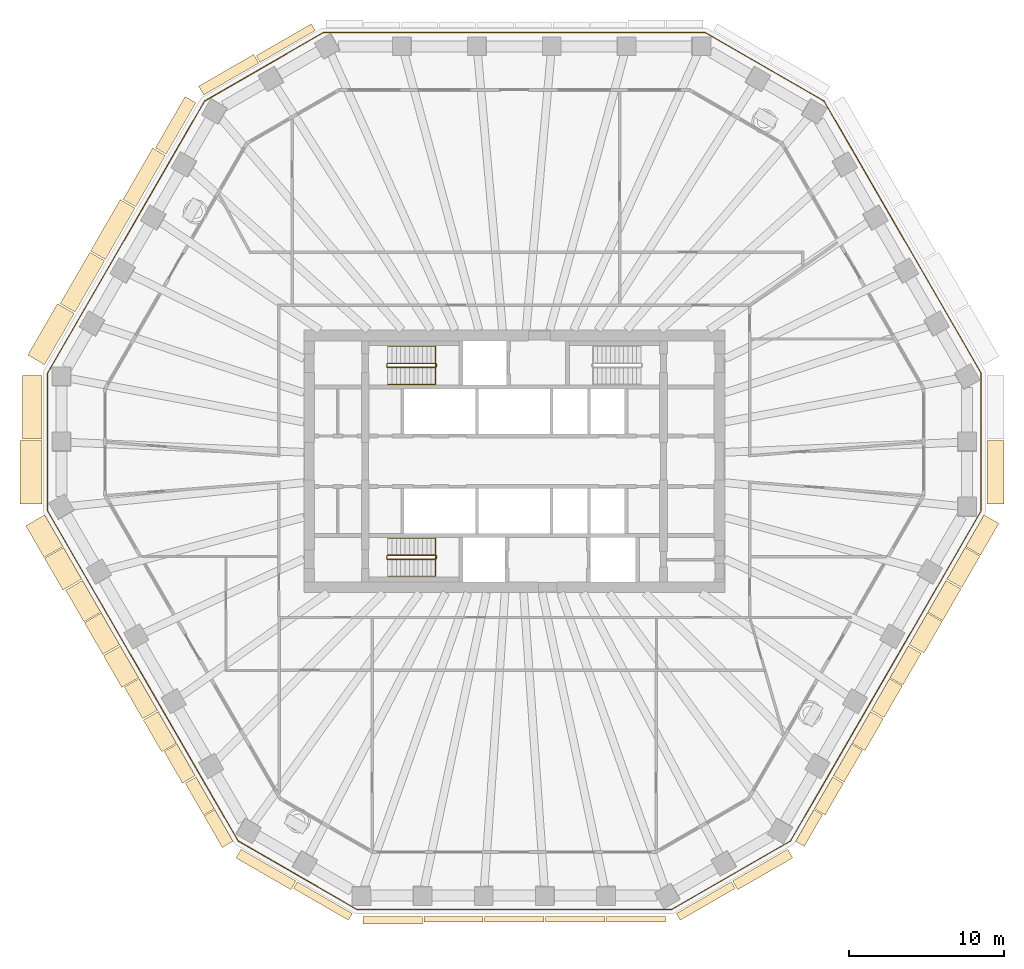
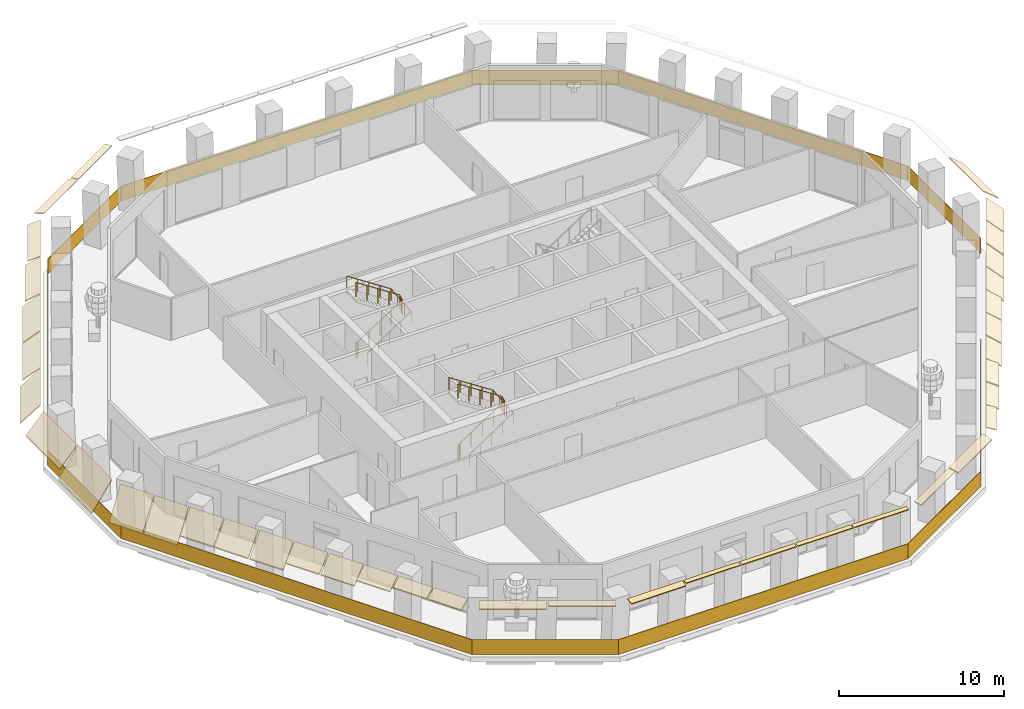
# One storey, part 10 of 13: 39 coverings, 5 railings.
"""IFC4 building model written with IfcOpenShell, lengths in metres."""

import ifcopenshell
import ifcopenshell.guid

model = None  # the IFC model being written
_history = None  # IfcOwnerHistory: only IFC2X3 demands one
_inside = {}  # id of a spatial element -> (the spatial element, [elements in it])
_under = {}  # id of a project, library or spatial element -> (it, [spatial elements below it])
_declared = {}  # id of a project -> (the project, [libraries it declares])
_typed = {}  # id of a type object -> (the type object, [elements of that type])
_made_of = {}  # id of a material, layer set ... -> (it, [elements and type objects made of it])


def new_model(schema):
    """Start an empty IFC model of exactly this schema.

    Asked for "IFC4X3", IfcOpenShell would pick the latest addendum, in which some entities
    have other attributes; the version numbers below select the first issue.
    IFC2X3 requires an IfcOwnerHistory on every rooted entity: one is made here for all.
    """
    global model, _history
    if schema == "IFC4X3":
        model = ifcopenshell.file(schema_version=(4, 3, 0, 0))
    else:
        model = ifcopenshell.file(schema=schema)
    _inside.clear()
    _under.clear()
    _declared.clear()
    _typed.clear()
    _made_of.clear()
    _history = None
    if model.schema == "IFC2X3":
        org = make("IfcOrganization", Name="unknown")
        user = make(
            "IfcPersonAndOrganization",
            ThePerson=make("IfcPerson", FamilyName="unknown"),
            TheOrganization=org,
        )
        app = make(
            "IfcApplication",
            ApplicationDeveloper=org,
            Version="unknown",
            ApplicationFullName="unknown",
            ApplicationIdentifier="unknown",
        )
        _history = make(
            "IfcOwnerHistory",
            OwningUser=user,
            OwningApplication=app,
            ChangeAction="ADDED",
            CreationDate=0,
        )
    return model


def make(cls, **values):
    """One entity of the class cls with the attributes given. An attribute that is None is left unset."""
    return model.create_entity(
        cls, **{name: value for name, value in values.items() if value is not None}
    )


def rooted(cls, **values):
    """An entity with a GlobalId (a new one), such as an element, a storey or a relation."""
    return make(cls, GlobalId=ifcopenshell.guid.new(), OwnerHistory=_history, **values)


def si_unit(unit_type, name, prefix=None):
    """IfcSIUnit, for example si_unit("LENGTHUNIT", "METRE", prefix="MILLI")."""
    return make("IfcSIUnit", UnitType=unit_type, Prefix=prefix, Name=name)


def assignment(units):
    """IfcUnitAssignment: the units of a project."""
    return None if units is None else make("IfcUnitAssignment", Units=units)


def point(xyz):
    """IfcCartesianPoint."""
    return None if xyz is None else make("IfcCartesianPoint", Coordinates=xyz)


def direction(xyz):
    """IfcDirection."""
    return None if xyz is None else make("IfcDirection", DirectionRatios=xyz)


def frame(location, z_axis=None, x_axis=None):
    """IfcAxis2Placement3D, a coordinate frame: its origin and axes. An axis left out is left unset."""
    return make(
        "IfcAxis2Placement3D",
        Location=point(location),
        Axis=direction(z_axis),
        RefDirection=direction(x_axis),
    )


def frame_2d(location, x_axis=None):
    """IfcAxis2Placement2D, a coordinate frame in the plane: its origin and x axis."""
    return make(
        "IfcAxis2Placement2D", Location=point(location), RefDirection=direction(x_axis)
    )


def origin():
    """The frame at (0, 0, 0) with its axes left unset."""
    return frame((0.0, 0.0, 0.0))


def origin_2d():
    """The frame at (0, 0) in the plane with its x axis left unset."""
    return frame_2d((0.0, 0.0))


def place(relative_to, where):
    """IfcLocalPlacement: puts the frame where relative to a parent placement (None: the world)."""
    return make(
        "IfcLocalPlacement", PlacementRelTo=relative_to, RelativePlacement=where
    )


def context(
    kind, dimensions, precision=None, world=None, true_north=None, identifier=None
):
    """IfcGeometricRepresentationContext, for example the 3D "Model" context."""
    return make(
        "IfcGeometricRepresentationContext",
        ContextIdentifier=identifier,
        ContextType=kind,
        CoordinateSpaceDimension=dimensions,
        Precision=precision,
        WorldCoordinateSystem=world,
        TrueNorth=true_north,
    )


def subcontext(parent, identifier, kind, view, scale=None):
    """IfcGeometricRepresentationSubContext, for example "Body" below "Model"."""
    return make(
        "IfcGeometricRepresentationSubContext",
        ContextIdentifier=identifier,
        ContextType=kind,
        ParentContext=parent,
        TargetScale=scale,
        TargetView=view,
    )


def project(units=None, contexts=None):
    """IfcProject with its units and contexts."""
    return rooted(
        "IfcProject",
        Name="project",
        RepresentationContexts=contexts,
        UnitsInContext=assignment(units),
    )


def spatial(cls, under=None, at=None, **own):
    """A site, building, storey or space (cls), placed at a placement, below another one or the project."""
    s = rooted(cls, ObjectPlacement=at, **own)
    if under is not None:
        _under.setdefault(under.id(), (under, []))[1].append(s)
    return s


def polyline(points):
    """IfcPolyline through the points."""
    return make("IfcPolyline", Points=[point(p) for p in points])


def profile(cls, at=None, kind="AREA", **sizes):
    """A parametric profile (cls). Its sizes go by their IFC names, for example OverallWidth=200.0."""
    return make(cls, ProfileType=kind, Position=at, **sizes)


def rectangle(**sizes):
    """IfcRectangleProfileDef."""
    return profile("IfcRectangleProfileDef", **sizes)


def circle(**sizes):
    """IfcCircleProfileDef."""
    return profile("IfcCircleProfileDef", **sizes)


def outline(outer, holes=None, kind="AREA"):
    """IfcArbitraryClosedProfileDef: a profile drawn as a closed curve; with holes, ...WithVoids."""
    if holes is None:
        return make("IfcArbitraryClosedProfileDef", ProfileType=kind, OuterCurve=outer)
    return make(
        "IfcArbitraryProfileDefWithVoids",
        ProfileType=kind,
        OuterCurve=outer,
        InnerCurves=holes,
    )


def extrude(swept, where, along, depth):
    """IfcExtrudedAreaSolid: the profile swept, set in the frame where, extruded along a direction by depth."""
    return make(
        "IfcExtrudedAreaSolid",
        SweptArea=swept,
        Position=where,
        ExtrudedDirection=direction(along),
        Depth=depth,
    )


def shape(context_of_items, identifier, shape_type, items):
    """IfcShapeRepresentation: the items that make up one representation, for example the "Body"."""
    return make(
        "IfcShapeRepresentation",
        ContextOfItems=context_of_items,
        RepresentationIdentifier=identifier,
        RepresentationType=shape_type,
        Items=items,
    )


def material(Name=None, Category=None):
    """IfcMaterial."""
    return make("IfcMaterial", Name=Name, Category=Category)


def layer(
    of_material, thickness, ventilated=None, Name=None, Category=None, Priority=None
):
    """IfcMaterialLayer: one layer of a wall or slab, of a material (None: an air gap)."""
    return make(
        "IfcMaterialLayer",
        Material=of_material,
        LayerThickness=thickness,
        IsVentilated=ventilated,
        Name=Name,
        Category=Category,
        Priority=Priority,
    )


def layer_set(layers, Name=None):
    """IfcMaterialLayerSet."""
    return make("IfcMaterialLayerSet", MaterialLayers=layers, LayerSetName=Name)


def made_of(thing, what):
    """Note that an element or type object is made of a material, layer set ...; save() writes the relation."""
    if what is not None:
        _made_of.setdefault(what.id(), (what, []))[1].append(thing)
    return thing


def type_object(cls, material=None, **own):
    """A type object (cls), such as IfcWallType, which elements share."""
    return made_of(rooted(cls, **own), material)


def element(
    cls,
    number,
    at=None,
    inside=None,
    cuts=None,
    type_object=None,
    material=None,
    context=None,
    identifier="Body",
    shape_type=None,
    held_by="IfcProductDefinitionShape",
    body=None,
    shapes=None,
    **own,
):
    """One element of the class cls, such as IfcWall. Its Tag is "e" and its number.

    at: its placement. inside: the storey or other place that contains it. cuts: it is an
    opening in that element (IfcRelVoidsElement). A single representation is given by context,
    identifier, shape_type and body (its items); several are given by shapes. held_by: the class
    of the entity that holds the representations. save() writes the other relations.
    """
    e = rooted(cls, Tag="e%d" % number, ObjectPlacement=at, **own)
    if body is not None:
        shapes = [shape(context, identifier, shape_type, body)]
    if shapes is not None:
        e.Representation = make(held_by, Representations=shapes)
    if inside is not None:
        _inside.setdefault(inside.id(), (inside, []))[1].append(e)
    if cuts is not None:
        rooted(
            "IfcRelVoidsElement", RelatingBuildingElement=cuts, RelatedOpeningElement=e
        )
    if type_object is not None:
        _typed.setdefault(type_object.id(), (type_object, []))[1].append(e)
    return made_of(e, material)


def aggregate(whole, parts):
    """IfcRelAggregates: a whole, such as a stair, and the parts it consists of."""
    return rooted("IfcRelAggregates", RelatingObject=whole, RelatedObjects=parts)


def save(model, path):
    """Write the relations noted so far, then the file.

    IfcRelAggregates (storeys below a building ...), IfcRelContainedInSpatialStructure (elements
    in a storey), IfcRelDefinesByType, IfcRelAssociatesMaterial and IfcRelDeclares: one each for
    every whole, place, type object, material and project.
    """
    for whole, parts in _under.values():
        aggregate(whole, parts)
    for where, things in _inside.values():
        rooted(
            "IfcRelContainedInSpatialStructure",
            RelatedElements=things,
            RelatingStructure=where,
        )
    for kind, things in _typed.values():
        rooted("IfcRelDefinesByType", RelatedObjects=things, RelatingType=kind)
    for what, things in _made_of.values():
        rooted("IfcRelAssociatesMaterial", RelatedObjects=things, RelatingMaterial=what)
    for by, libraries in _declared.values():
        rooted("IfcRelDeclares", RelatingContext=by, RelatedDefinitions=libraries)
    model.write(path)


model = new_model("IFC4")

# Units and contexts
model_context = context("Model", 3, precision=1e-05, world=origin(), true_north=direction((0.0, 1.0)))
body_context = subcontext(model_context, "Body", "Model", "MODEL_VIEW")
ifc_project = project(units=[si_unit("LENGTHUNIT", "METRE"), si_unit("AREAUNIT", "SQUARE_METRE"), si_unit("VOLUMEUNIT", "CUBIC_METRE"), si_unit("PLANEANGLEUNIT", "RADIAN"), si_unit("MASSUNIT", "GRAM", prefix="KILO")], contexts=[model_context])

# Site, building, storey
site_placement = place(None, origin())
site = spatial("IfcSite", under=ifc_project, at=site_placement, CompositionType="ELEMENT")
building_placement = place(site_placement, origin())
building = spatial("IfcBuilding", under=site, at=building_placement, Name="Frailejon Research Tower", CompositionType="ELEMENT")
storey_placement = place(building_placement, frame((0.0, 0.0, 184.800048828125)))
storey = spatial("IfcBuildingStorey", under=building, at=storey_placement, Name="L40", CompositionType="ELEMENT", Elevation=184.800048828125)

# Coverings
ifc_material_1 = material(Name="Precast concrete C50/60", Category="concrete")
ifc_layer_1 = layer(ifc_material_1, 0.06005859375)
ifc_layer_set_1 = layer_set([ifc_layer_1], Name="Brim blade depth 1100")
covering_type_1 = type_object("IfcCoveringType", Name="Brim blade depth 1100", PredefinedType="CLADDING", material=ifc_layer_set_1)
covering_1_placement = place(storey_placement, frame((30.4111328125, 1.332763671875, 4.25), z_axis=(0.0, -1.0, 0.0), x_axis=(1.0, 0.0, 0.0)))
element("IfcCovering", 1, at=covering_1_placement, inside=storey, type_object=covering_type_1, Name="Brim blade L40", PredefinedType="CLADDING", context=body_context, shape_type="SweptSolid", body=[
    extrude(outline(polyline([(0.0, -0.078369140625), (1.10009765625, -1.001220703125), (1.10009765625, -0.923095703125), (0.0, 0.0), (0.0, -0.078369140625)])), origin(), (0.0, 0.0, 1.0), 4.087646484375),
])
covering_2_placement = place(storey_placement, frame((-26.312744140625, 12.990478515625, 4.25), z_axis=(0.500001217064, 0.866024701111, 0.0), x_axis=(-0.866024701111, 0.500001217064, 0.0)))
element("IfcCovering", 2, at=covering_2_placement, inside=storey, type_object=covering_type_1, Name="Brim blade L40", PredefinedType="CLADDING", context=body_context, shape_type="SweptSolid", body=[
    extrude(outline(polyline([(0.0, -0.078369140625), (1.10009765625, -1.001220703125), (1.10009765625, -0.923095703125), (0.0, 0.0), (0.0, -0.078369140625)])), origin(), (0.0, 0.0, 1.0), 3.8125),
])
covering_3_placement = place(storey_placement, frame((-28.26904296875, 9.60205078125, 4.25), z_axis=(0.499990149831, 0.866031090707, 0.0), x_axis=(-0.866031090707, 0.499990149831, 0.0)))
element("IfcCovering", 3, at=covering_3_placement, inside=storey, type_object=covering_type_1, Name="Brim blade L40", PredefinedType="CLADDING", context=body_context, shape_type="SweptSolid", body=[
    extrude(outline(polyline([(0.0, -0.078369140625), (1.10009765625, -1.001220703125), (1.10009765625, -0.923095703125), (0.0, 0.0), (0.0, -0.078369140625)])), origin(), (0.0, 0.0, 1.0), 3.812744140625),
])
for number, where, z_axis, x_axis, name in (
    (4, (-22.969482421875, -16.015625, 4.25), (-0.50000563012, 0.866022153209, 0.0), (-0.866022153209, -0.50000563012, 0.0), "Brim blade L40"),
    (5, (-21.74169921875, -18.14208984375, 4.25), (-0.499996739973, 0.866027285954, 0.0), (-0.866027285954, -0.499996739973, 0.0), "Brim blade L40"),
    (6, (26.58251953125, -9.7578125, 4.25), (-0.499996739973, -0.866027285954, 0.0), (0.866027285954, -0.499996739973, 0.0), "Brim blade L40"),
    (7, (27.7900390625, -7.666259765625, 4.25), (-0.499996739973, -0.866027285954, 0.0), (0.866027285954, -0.499996739973, 0.0), "Brim blade L40"),
    (8, (29.017578125, -5.539794921875, 4.25), (-0.499996739973, -0.866027285954, 0.0), (0.866027285954, -0.499996739973, 0.0), "Brim blade L40"),
    (9, (30.225341796875, -3.447998046875, 4.25), (-0.499996739973, -0.866027285954, 0.0), (0.866027285954, -0.499996739973, 0.0), "Brim blade L40"),
):
    element("IfcCovering", number, at=place(storey_placement, frame(where, z_axis=z_axis, x_axis=x_axis)), inside=storey, type_object=covering_type_1, Name=name, PredefinedType="CLADDING", context=body_context, shape_type="SweptSolid", body=[
        extrude(outline(polyline([(0.0, -0.078369140625), (1.10009765625, -1.001220703125), (1.10009765625, -0.923095703125), (0.0, 0.0), (0.0, -0.078369140625)])), origin(), (0.0, 0.0, 1.0), 2.355224609375),
    ])
ifc_material_2 = material(Name="Precast concrete C50/60", Category="concrete")
ifc_layer_2 = layer(ifc_material_2, 0.06005859375)
ifc_layer_set_2 = layer_set([ifc_layer_2], Name="Brim blade depth 1250")
covering_type_2 = type_object("IfcCoveringType", Name="Brim blade depth 1250", PredefinedType="CLADDING", material=ifc_layer_set_2)
covering_4_placement = place(storey_placement, frame((-30.225341796875, 6.213623046875, 4.25), z_axis=(0.500001217064, 0.866024701111, 0.0), x_axis=(-0.866024701111, 0.500001217064, 0.0)))
element("IfcCovering", 10, at=covering_4_placement, inside=storey, type_object=covering_type_2, Name="Brim blade L40", PredefinedType="CLADDING", context=body_context, shape_type="SweptSolid", body=[
    extrude(outline(polyline([(0.0, -0.0888671875), (1.25, -1.452880859375), (1.25, -1.364013671875), (0.0, 0.0), (0.0, -0.0888671875)])), origin(), (0.0, 0.0, 1.0), 3.8125),
])
covering_5_placement = place(storey_placement, frame((-30.4111328125, 1.432861328125, 4.25), z_axis=(0.0, 1.0, 0.0), x_axis=(-1.0, 0.0, 0.0)))
element("IfcCovering", 11, at=covering_5_placement, inside=storey, type_object=covering_type_2, Name="Brim blade L40", PredefinedType="CLADDING", context=body_context, shape_type="SweptSolid", body=[
    extrude(outline(polyline([(0.0, -0.0888671875), (1.25, -1.452880859375), (1.25, -1.364013671875), (0.0, 0.0), (0.0, -0.0888671875)])), origin(), (0.0, 0.0, 1.0), 4.08740234375),
])
for number, where, z_axis, x_axis, name in (
    (12, (-26.6123046875, -9.7060546875, 4.25), (-0.499996739973, 0.866027285954, 0.0), (-0.866027285954, -0.499996739973, 0.0), "Brim blade L40"),
    (13, (-25.40478515625, -11.797607421875, 4.25), (-0.499996739973, 0.866027285954, 0.0), (-0.866027285954, -0.499996739973, 0.0), "Brim blade L40"),
    (14, (-24.177001953125, -13.924072265625, 4.25), (-0.50000563012, 0.866022153209, 0.0), (-0.866022153209, -0.50000563012, 0.0), "Brim blade L40"),
):
    element("IfcCovering", number, at=place(storey_placement, frame(where, z_axis=z_axis, x_axis=x_axis)), inside=storey, type_object=covering_type_2, Name=name, PredefinedType="CLADDING", context=body_context, shape_type="SweptSolid", body=[
        extrude(outline(polyline([(0.0, -0.0888671875), (1.25, -1.452880859375), (1.25, -1.364013671875), (0.0, 0.0), (0.0, -0.0888671875)])), origin(), (0.0, 0.0, 1.0), 2.355224609375),
    ])
ifc_material_3 = material(Name="Precast concrete C50/60", Category="concrete")
ifc_layer_3 = layer(ifc_material_3, 0.06005859375)
ifc_layer_set_3 = layer_set([ifc_layer_3], Name="Brim blade depth 1400")
covering_type_3 = type_object("IfcCoveringType", Name="Brim blade depth 1400", PredefinedType="CLADDING", material=ifc_layer_set_3)
covering_6_placement = place(storey_placement, frame((-30.4111328125, -2.7548828125, 4.25), z_axis=(0.0, 1.0, 0.0), x_axis=(-1.0, 0.0, 0.0)))
element("IfcCovering", 15, at=covering_6_placement, inside=storey, type_object=covering_type_3, Name="Brim blade L40", PredefinedType="CLADDING", context=body_context, shape_type="SweptSolid", body=[
    extrude(outline(polyline([(0.0, -0.1044921875), (1.39990234375, -2.10400390625), (1.39990234375, -1.99951171875), (0.0, 0.0), (0.0, -0.1044921875)])), origin(), (0.0, 0.0, 1.0), 4.087646484375),
])
for number, where, z_axis, x_axis, name in (
    (16, (-29.047607421875, -5.48779296875, 4.25), (-0.499996739973, 0.866027285954, 0.0), (-0.866027285954, -0.499996739973, 0.0), "Brim blade L40"),
    (17, (-27.840087890625, -7.57958984375, 4.25), (-0.499996739973, 0.866027285954, 0.0), (-0.866027285954, -0.499996739973, 0.0), "Brim blade L40"),
):
    element("IfcCovering", number, at=place(storey_placement, frame(where, z_axis=z_axis, x_axis=x_axis)), inside=storey, type_object=covering_type_3, Name=name, PredefinedType="CLADDING", context=body_context, shape_type="SweptSolid", body=[
        extrude(outline(polyline([(0.0, -0.1044921875), (1.39990234375, -2.10400390625), (1.39990234375, -1.99951171875), (0.0, 0.0), (0.0, -0.1044921875)])), origin(), (0.0, 0.0, 1.0), 2.355224609375),
    ])
ifc_material_4 = material(Name="Precast concrete C50/60", Category="concrete")
ifc_layer_4 = layer(ifc_material_4, 0.06005859375)
ifc_layer_set_4 = layer_set([ifc_layer_4], Name="Brim blade depth 350")
covering_type_4 = type_object("IfcCoveringType", Name="Brim blade depth 350", PredefinedType="CLADDING", material=ifc_layer_set_4)
for number, where, z_axis, x_axis, name in (
    (18, (-2.00634765625, -29.28271484375, 4.25), (-1.0, 0.0, 0.0), (0.0, -1.0, 0.0), "Brim blade L40"),
    (19, (1.90625, -29.28271484375, 4.25), (-1.0, 0.0, 0.0), (0.0, -1.0, 0.0), "Brim blade L40"),
    (20, (5.81884765625, -29.28271484375, 4.25), (-1.0, 0.0, 0.0), (0.0, -1.0, 0.0), "Brim blade L40"),
    (21, (9.7314453125, -29.28271484375, 4.25), (-1.0, 0.0, 0.0), (0.0, -1.0, 0.0), "Brim blade L40"),
):
    element("IfcCovering", number, at=place(storey_placement, frame(where, z_axis=z_axis, x_axis=x_axis)), inside=storey, type_object=covering_type_4, Name=name, PredefinedType="CLADDING", context=body_context, shape_type="SweptSolid", body=[
        extrude(outline(polyline([(0.0, -0.06005859375), (0.35009765625, -0.06005859375), (0.35009765625, 0.0), (0.0, 0.0), (0.0, -0.06005859375)])), origin(), (0.0, 0.0, 1.0), 3.8125),
    ])
ifc_material_5 = material(Name="Precast concrete C50/60", Category="concrete")
ifc_layer_5 = layer(ifc_material_5, 0.06005859375)
ifc_layer_set_5 = layer_set([ifc_layer_5], Name="Brim blade depth 500")
covering_type_5 = type_object("IfcCoveringType", Name="Brim blade depth 500", PredefinedType="CLADDING", material=ifc_layer_set_5)
for number, where, z_axis, x_axis, name in (
    (22, (-16.35986328125, 25.67041015625, 4.25), (0.866027315287, 0.499996689166, 0.0), (-0.499996689166, 0.866027315287, 0.0), "Brim blade L40"),
    (23, (-10.4248046875, -29.096923828125, 4.25), (-0.866027315287, 0.499996689166, 0.0), (-0.499996689166, -0.866027315287, 0.0), "Brim blade L40"),
):
    element("IfcCovering", number, at=place(storey_placement, frame(where, z_axis=z_axis, x_axis=x_axis)), inside=storey, type_object=covering_type_5, Name=name, PredefinedType="CLADDING", context=body_context, shape_type="SweptSolid", body=[
        extrude(outline(polyline([(0.0, -0.060546875), (0.5, -0.130859375), (0.5, -0.0703125), (0.0, 0.0), (0.0, -0.060546875)])), origin(), (0.0, 0.0, 1.0), 4.087646484375),
    ])
covering_7_placement = place(storey_placement, frame((-5.9189453125, -29.28271484375, 4.25), z_axis=(-1.0, 0.0, 0.0), x_axis=(0.0, -1.0, 0.0)))
element("IfcCovering", 24, at=covering_7_placement, inside=storey, type_object=covering_type_5, Name="Brim blade L40", PredefinedType="CLADDING", context=body_context, shape_type="SweptSolid", body=[
    extrude(outline(polyline([(0.0, -0.060546875), (0.5, -0.130859375), (0.5, -0.0703125), (0.0, 0.0), (0.0, -0.060546875)])), origin(), (0.0, 0.0, 1.0), 3.8125),
])
covering_8_placement = place(storey_placement, frame((13.96484375, -27.05322265625, 4.25), z_axis=(-0.866027315287, -0.499996689166, 0.0), x_axis=(0.499996689166, -0.866027315287, 0.0)))
element("IfcCovering", 25, at=covering_8_placement, inside=storey, type_object=covering_type_5, Name="Brim blade L40", PredefinedType="CLADDING", context=body_context, shape_type="SweptSolid", body=[
    extrude(outline(polyline([(0.0, -0.060546875), (0.5, -0.130859375), (0.5, -0.0703125), (0.0, 0.0), (0.0, -0.060546875)])), origin(), (0.0, 0.0, 1.0), 4.087646484375),
])
ifc_material_6 = material(Name="Precast concrete C50/60", Category="concrete")
ifc_layer_6 = layer(ifc_material_6, 0.06005859375)
ifc_layer_set_6 = layer_set([ifc_layer_6], Name="Brim blade depth 650")
covering_type_6 = type_object("IfcCoveringType", Name="Brim blade depth 650", PredefinedType="CLADDING", material=ifc_layer_set_6)
for number, where, z_axis, x_axis, name in (
    (26, (-19.986328125, 23.57666015625, 4.25), (0.866021344981, 0.500007029989, 0.0), (-0.500007029989, 0.866021344981, 0.0), "Brim blade L40"),
    (27, (-14.051513671875, -27.003173828125, 4.25), (-0.866021344981, 0.500007029989, 0.0), (-0.500007029989, -0.866021344981, 0.0), "Brim blade L40"),
    (28, (17.59130859375, -24.95947265625, 4.25), (-0.866021344981, -0.500007029989, 0.0), (0.500007029989, -0.866021344981, 0.0), "Brim blade L40"),
):
    element("IfcCovering", number, at=place(storey_placement, frame(where, z_axis=z_axis, x_axis=x_axis)), inside=storey, type_object=covering_type_6, Name=name, PredefinedType="CLADDING", context=body_context, shape_type="SweptSolid", body=[
        extrude(outline(polyline([(0.0, -0.0625), (0.64990234375, -0.248779296875), (0.64990234375, -0.186279296875), (0.0, 0.0), (0.0, -0.0625)])), origin(), (0.0, 0.0, 1.0), 4.08740234375),
    ])
covering_9_placement = place(storey_placement, frame((19.276611328125, -22.412109375, 4.25), z_axis=(-0.499996739973, -0.866027285954, 0.0), x_axis=(0.866027285954, -0.499996739973, 0.0)))
element("IfcCovering", 29, at=covering_9_placement, inside=storey, type_object=covering_type_6, Name="Brim blade L40", PredefinedType="CLADDING", context=body_context, shape_type="SweptSolid", body=[
    extrude(outline(polyline([(0.0, -0.0625), (0.64990234375, -0.248779296875), (0.64990234375, -0.186279296875), (0.0, 0.0), (0.0, -0.0625)])), origin(), (0.0, 0.0, 1.0), 2.355224609375),
])
ifc_material_7 = material(Name="Precast concrete C50/60", Category="concrete")
ifc_layer_7 = layer(ifc_material_7, 0.06005859375)
ifc_layer_set_7 = layer_set([ifc_layer_7], Name="Brim blade depth 800")
covering_type_7 = type_object("IfcCoveringType", Name="Brim blade depth 800", PredefinedType="CLADDING", material=ifc_layer_set_7)
covering_10_placement = place(storey_placement, frame((-22.400146484375, 19.767333984375, 4.25), z_axis=(0.500001217064, 0.866024701111, 0.0), x_axis=(-0.866024701111, 0.500001217064, 0.0)))
element("IfcCovering", 30, at=covering_10_placement, inside=storey, type_object=covering_type_7, Name="Brim blade L40", PredefinedType="CLADDING", context=body_context, shape_type="SweptSolid", body=[
    extrude(outline(polyline([(0.0, -0.065673828125), (0.800048828125, -0.421875), (0.800048828125, -0.356201171875), (0.0, 0.0), (0.0, -0.065673828125)])), origin(), (0.0, 0.0, 1.0), 3.8125),
])
for number, where, z_axis, x_axis, name in (
    (31, (-19.306396484375, -22.360107421875, 4.25), (-0.499996739973, 0.866027285954, 0.0), (-0.866027285954, -0.499996739973, 0.0), "Brim blade L40"),
    (32, (-18.098876953125, -24.451904296875, 4.25), (-0.499996739973, 0.866027285954, 0.0), (-0.866027285954, -0.499996739973, 0.0), "Brim blade L40"),
    (33, (20.484130859375, -20.3203125, 4.25), (-0.499996739973, -0.866027285954, 0.0), (0.866027285954, -0.499996739973, 0.0), "Brim blade L40"),
    (34, (21.7119140625, -18.194091796875, 4.25), (-0.499996739973, -0.866027285954, 0.0), (0.866027285954, -0.499996739973, 0.0), "Brim blade L40"),
):
    element("IfcCovering", number, at=place(storey_placement, frame(where, z_axis=z_axis, x_axis=x_axis)), inside=storey, type_object=covering_type_7, Name=name, PredefinedType="CLADDING", context=body_context, shape_type="SweptSolid", body=[
        extrude(outline(polyline([(0.0, -0.065673828125), (0.800048828125, -0.421875), (0.800048828125, -0.356201171875), (0.0, 0.0), (0.0, -0.065673828125)])), origin(), (0.0, 0.0, 1.0), 2.355224609375),
    ])
ifc_material_8 = material(Name="Precast concrete C50/60", Category="concrete")
ifc_layer_8 = layer(ifc_material_8, 0.06005859375)
ifc_layer_set_8 = layer_set([ifc_layer_8], Name="Brim blade depth 950")
covering_type_8 = type_object("IfcCoveringType", Name="Brim blade depth 950", PredefinedType="CLADDING", material=ifc_layer_set_8)
covering_11_placement = place(storey_placement, frame((-24.3564453125, 16.37890625, 4.25), z_axis=(0.500001217064, 0.866024701111, 0.0), x_axis=(-0.866024701111, 0.500001217064, 0.0)))
element("IfcCovering", 35, at=covering_11_placement, inside=storey, type_object=covering_type_8, Name="Brim blade L40", PredefinedType="CLADDING", context=body_context, shape_type="SweptSolid", body=[
    extrude(outline(polyline([(0.0, -0.07080078125), (0.949951171875, -0.664306640625), (0.949951171875, -0.593505859375), (0.0, 0.0), (0.0, -0.07080078125)])), origin(), (0.0, 0.0, 1.0), 3.8125),
])
for number, where, z_axis, x_axis, name in (
    (36, (-20.5341796875, -20.23388671875, 4.25), (-0.499996739973, 0.866027285954, 0.0), (-0.866027285954, -0.499996739973, 0.0), "Brim blade L40"),
    (37, (22.91943359375, -16.102294921875, 4.25), (-0.499996739973, -0.866027285954, 0.0), (0.866027285954, -0.499996739973, 0.0), "Brim blade L40"),
    (38, (24.147216796875, -13.97607421875, 4.25), (-0.50000563012, -0.866022153209, 0.0), (0.866022153209, -0.50000563012, 0.0), "Brim blade L40"),
    (39, (25.354736328125, -11.88427734375, 4.25), (-0.50000563012, -0.866022153209, 0.0), (0.866022153209, -0.50000563012, 0.0), "Brim blade L40"),
):
    element("IfcCovering", number, at=place(storey_placement, frame(where, z_axis=z_axis, x_axis=x_axis)), inside=storey, type_object=covering_type_8, Name=name, PredefinedType="CLADDING", context=body_context, shape_type="SweptSolid", body=[
        extrude(outline(polyline([(0.0, -0.07080078125), (0.949951171875, -0.664306640625), (0.949951171875, -0.593505859375), (0.0, 0.0), (0.0, -0.07080078125)])), origin(), (0.0, 0.0, 1.0), 2.355224609375),
    ])

# Railings
ifc_material_9 = material(Name="Laminated glass balustrade", Category="glass")
railing_type_1 = type_object("IfcRailingType", Name="Glass guard 1100", PredefinedType="GUARDRAIL", material=ifc_material_9)
railing_1_placement = place(storey_placement, frame((30.0400390625, -3.1865234375, 0.0)))
element("IfcRailing", 40, at=railing_1_placement, inside=storey, type_object=railing_type_1, Name="Loggia guard L40", PredefinedType="GUARDRAIL", context=body_context, shape_type="SweptSolid", body=[
    extrude(rectangle(XDim=8.862060546875, YDim=0.030029296875, at=origin_2d()), frame((0.0, 4.43115234375, 0.0), z_axis=(0.0, 0.0, 1.0), x_axis=(0.0, 1.0, 0.0)), (0.0, 0.0, 1.0), 1.10009765625),
    extrude(rectangle(XDim=20.209716796875, YDim=0.030029296875, at=origin_2d()), frame((-5.052490234375, 17.613037109375, 0.0), z_axis=(0.0, 0.0, 1.0), x_axis=(-0.500008280215, 0.866020623147, 0.0)), (0.0, 0.0, 1.0), 1.10009765625),
    extrude(rectangle(XDim=8.862060546875, YDim=0.030029296875, at=origin_2d()), frame((-13.9423828125, 28.57958984375, 0.0), z_axis=(0.0, 0.0, 1.0), x_axis=(-0.86602043012, 0.50000861454, 0.0)), (0.0, 0.0, 1.0), 1.10009765625),
    extrude(rectangle(XDim=24.5205078125, YDim=0.030029296875, at=origin_2d()), frame((-30.0400390625, 30.795166015625, 0.0), z_axis=(0.0, 0.0, 1.0), x_axis=(-1.0, 0.0, 0.0)), (0.0, 0.0, 1.0), 1.10009765625),
    extrude(rectangle(XDim=8.862060546875, YDim=0.030029296875, at=origin_2d()), frame((-46.1376953125, 28.57958984375, 0.0), z_axis=(0.0, 0.0, 1.0), x_axis=(-0.86602043012, -0.50000861454, 0.0)), (0.0, 0.0, 1.0), 1.10009765625),
    extrude(rectangle(XDim=20.209716796875, YDim=0.030029296875, at=origin_2d()), frame((-55.027587890625, 17.613037109375, 0.0), z_axis=(0.0, 0.0, 1.0), x_axis=(-0.500008280215, -0.866020623147, 0.0)), (0.0, 0.0, 1.0), 1.10009765625),
    extrude(rectangle(XDim=8.862060546875, YDim=0.030029296875, at=origin_2d()), frame((-60.080078125, 4.43115234375, 0.0), z_axis=(0.0, 0.0, 1.0), x_axis=(0.0, -1.0, 0.0)), (0.0, 0.0, 1.0), 1.10009765625),
    extrude(rectangle(XDim=24.520751953125, YDim=0.030029296875, at=origin_2d()), frame((-53.94970703125, -10.61767578125, 0.0), z_axis=(0.0, 0.0, 1.0), x_axis=(0.50000370556, -0.866023264368, 0.0)), (0.0, 0.0, 1.0), 1.10009765625),
    extrude(rectangle(XDim=8.862060546875, YDim=0.030029296875, at=origin_2d()), frame((-43.982177734375, -23.451171875, 0.0), z_axis=(0.0, 0.0, 1.0), x_axis=(0.866032359105, -0.499987952838, 0.0)), (0.0, 0.0, 1.0), 1.10009765625),
    extrude(rectangle(XDim=20.20947265625, YDim=0.030029296875, at=origin_2d()), frame((-30.0400390625, -25.66650390625, 0.0), z_axis=(0.0, 0.0, 1.0), x_axis=(1.0, 0.0, 0.0)), (0.0, 0.0, 1.0), 1.10009765625),
    extrude(rectangle(XDim=8.862060546875, YDim=0.030029296875, at=origin_2d()), frame((-16.097900390625, -23.451171875, 0.0), z_axis=(0.0, 0.0, 1.0), x_axis=(0.866032359105, 0.499987952838, 0.0)), (0.0, 0.0, 1.0), 1.10009765625),
    extrude(rectangle(XDim=24.45068359375, YDim=0.030029296875, at=origin_2d()), frame((-6.14794921875, -10.648193359375, 0.0), z_axis=(0.0, 0.0, 1.0), x_axis=(0.50000192052, 0.866024294969, 0.0)), (0.0, 0.0, 1.0), 1.10009765625),
])
ifc_material_10 = material(Name="Stainless steel", Category="steel")
railing_type_2 = type_object("IfcRailingType", Name="Stair guard 1100", PredefinedType="GUARDRAIL", material=ifc_material_10)
railing_2_placement = place(storey_placement, frame((-8.199951171875, 6.25, 0.0)))
element("IfcRailing", 41, at=railing_2_placement, inside=storey, type_object=railing_type_2, Name="L40 ST1 stair guard 1", PredefinedType="GUARDRAIL", context=body_context, shape_type="SweptSolid", body=[
    extrude(circle(Radius=0.02392578125, at=origin_2d()), frame((0.0, 0.0, 1.076171875), z_axis=(0.0, -1.0, 0.0), x_axis=(1.0, 0.0, 0.0)), (0.0, 0.0, 1.0), 0.14990234375),
    extrude(circle(Radius=0.02392578125, at=origin_2d()), frame((0.0, -0.14990234375, 1.076171875), z_axis=(0.254653276557, -0.254653276557, 0.932900539971), x_axis=(0.707106781187, 0.707106781187, 0.0)), (0.0, 0.0, 1.0), 0.196533203125),
    extrude(circle(Radius=0.02392578125, at=origin_2d()), frame((0.050048828125, -0.199951171875, 1.25927734375), z_axis=(0.836613101238, 0.0, 0.547794230379), x_axis=(0.0, 1.0, 0.0)), (0.0, 0.0, 1.0), 3.681396484375),
    extrude(circle(Radius=0.02392578125, at=origin_2d()), frame((3.1298828125, -0.199951171875, 3.27587890625), z_axis=(0.707106781187, 0.707106781187, 0.0), x_axis=(-0.707106781187, 0.707106781187, 0.0)), (0.0, 0.0, 1.0), 0.07080078125),
    extrude(circle(Radius=0.02392578125, at=origin_2d()), frame((3.179931640625, -0.14990234375, 3.27587890625), z_axis=(0.0, 1.0, 0.0), x_axis=(-1.0, 0.0, 0.0)), (0.0, 0.0, 1.0), 0.14990234375),
    extrude(circle(Radius=0.02392578125, at=origin_2d()), frame((3.179931640625, 0.0, 3.27587890625), z_axis=(-0.254653276557, 0.254653276557, 0.932900539971), x_axis=(-0.707106781187, -0.707106781187, 0.0)), (0.0, 0.0, 1.0), 0.196533203125),
    extrude(circle(Radius=0.02392578125, at=origin_2d()), frame((3.1298828125, 0.050048828125, 3.45947265625), z_axis=(-0.836613101238, 0.0, 0.547794230379), x_axis=(0.0, -1.0, 0.0)), (0.0, 0.0, 1.0), 3.681396484375),
    extrude(circle(Radius=0.02099609375, at=origin_2d()), origin(), (0.0, 0.0, 1.0), 1.052001953125),
    extrude(circle(Radius=0.02099609375, at=origin_2d()), frame((0.0, -0.14990234375, 0.0)), (0.0, 0.0, 1.0), 1.052001953125),
    extrude(circle(Radius=0.02099609375, at=origin_2d()), frame((0.050048828125, -0.199951171875, 0.183349609375)), (0.0, 0.0, 1.0), 1.052001953125),
    extrude(circle(Radius=0.02099609375, at=origin_2d()), frame((0.820068359375, -0.199951171875, 0.6875)), (0.0, 0.0, 1.0), 1.052001953125),
    extrude(circle(Radius=0.02099609375, at=origin_2d()), frame((1.58984375, -0.199951171875, 1.191650390625)), (0.0, 0.0, 1.0), 1.052001953125),
    extrude(circle(Radius=0.02099609375, at=origin_2d()), frame((2.35986328125, -0.199951171875, 1.69580078125)), (0.0, 0.0, 1.0), 1.052001953125),
    extrude(circle(Radius=0.02099609375, at=origin_2d()), frame((3.1298828125, -0.199951171875, 2.199951171875)), (0.0, 0.0, 1.0), 1.052001953125),
    extrude(circle(Radius=0.02099609375, at=origin_2d()), frame((3.179931640625, -0.14990234375, 2.199951171875)), (0.0, 0.0, 1.0), 1.052001953125),
    extrude(circle(Radius=0.02099609375, at=origin_2d()), frame((3.179931640625, 0.0, 2.199951171875)), (0.0, 0.0, 1.0), 1.052001953125),
    extrude(circle(Radius=0.02099609375, at=origin_2d()), frame((3.1298828125, 0.050048828125, 2.38330078125)), (0.0, 0.0, 1.0), 1.052001953125),
    extrude(circle(Radius=0.02099609375, at=origin_2d()), frame((2.35986328125, 0.050048828125, 2.887451171875)), (0.0, 0.0, 1.0), 1.052001953125),
    extrude(circle(Radius=0.02099609375, at=origin_2d()), frame((1.58984375, 0.050048828125, 3.3916015625)), (0.0, 0.0, 1.0), 1.052001953125),
    extrude(circle(Radius=0.02099609375, at=origin_2d()), frame((0.820068359375, 0.050048828125, 3.895751953125)), (0.0, 0.0, 1.0), 1.052001953125),
    extrude(circle(Radius=0.02099609375, at=origin_2d()), frame((0.050048828125, 0.050048828125, 4.39990234375)), (0.0, 0.0, 1.0), 1.052001953125),
])
railing_3_placement = place(storey_placement, frame((-8.199951171875, -6.10009765625, 0.0)))
element("IfcRailing", 42, at=railing_3_placement, inside=storey, type_object=railing_type_2, Name="L40 ST2 stair guard 1", PredefinedType="GUARDRAIL", context=body_context, shape_type="SweptSolid", body=[
    extrude(circle(Radius=0.02392578125, at=origin_2d()), frame((0.0, 0.0, 1.076171875), z_axis=(0.0, -1.0, 0.0), x_axis=(1.0, 0.0, 0.0)), (0.0, 0.0, 1.0), 0.14990234375),
    extrude(circle(Radius=0.02392578125, at=origin_2d()), frame((0.0, -0.14990234375, 1.076171875), z_axis=(0.254653276557, -0.254653276557, 0.932900539971), x_axis=(0.707106781187, 0.707106781187, 0.0)), (0.0, 0.0, 1.0), 0.196533203125),
    extrude(circle(Radius=0.02392578125, at=origin_2d()), frame((0.050048828125, -0.199951171875, 1.25927734375), z_axis=(0.836613101238, 0.0, 0.547794230379), x_axis=(0.0, 1.0, 0.0)), (0.0, 0.0, 1.0), 3.681396484375),
    extrude(circle(Radius=0.02392578125, at=origin_2d()), frame((3.1298828125, -0.199951171875, 3.27587890625), z_axis=(0.707106781187, 0.707106781187, 0.0), x_axis=(-0.707106781187, 0.707106781187, 0.0)), (0.0, 0.0, 1.0), 0.07080078125),
    extrude(circle(Radius=0.02392578125, at=origin_2d()), frame((3.179931640625, -0.14990234375, 3.27587890625), z_axis=(0.0, 1.0, 0.0), x_axis=(-1.0, 0.0, 0.0)), (0.0, 0.0, 1.0), 0.14990234375),
    extrude(circle(Radius=0.02392578125, at=origin_2d()), frame((3.179931640625, 0.0, 3.27587890625), z_axis=(-0.254653276557, 0.254653276557, 0.932900539971), x_axis=(-0.707106781187, -0.707106781187, 0.0)), (0.0, 0.0, 1.0), 0.196533203125),
    extrude(circle(Radius=0.02392578125, at=origin_2d()), frame((3.1298828125, 0.050048828125, 3.45947265625), z_axis=(-0.836613101238, 0.0, 0.547794230379), x_axis=(0.0, -1.0, 0.0)), (0.0, 0.0, 1.0), 3.681396484375),
    extrude(circle(Radius=0.02099609375, at=origin_2d()), origin(), (0.0, 0.0, 1.0), 1.052001953125),
    extrude(circle(Radius=0.02099609375, at=origin_2d()), frame((0.0, -0.14990234375, 0.0)), (0.0, 0.0, 1.0), 1.052001953125),
    extrude(circle(Radius=0.02099609375, at=origin_2d()), frame((0.050048828125, -0.199951171875, 0.183349609375)), (0.0, 0.0, 1.0), 1.052001953125),
    extrude(circle(Radius=0.02099609375, at=origin_2d()), frame((0.820068359375, -0.199951171875, 0.6875)), (0.0, 0.0, 1.0), 1.052001953125),
    extrude(circle(Radius=0.02099609375, at=origin_2d()), frame((1.58984375, -0.199951171875, 1.191650390625)), (0.0, 0.0, 1.0), 1.052001953125),
    extrude(circle(Radius=0.02099609375, at=origin_2d()), frame((2.35986328125, -0.199951171875, 1.69580078125)), (0.0, 0.0, 1.0), 1.052001953125),
    extrude(circle(Radius=0.02099609375, at=origin_2d()), frame((3.1298828125, -0.199951171875, 2.199951171875)), (0.0, 0.0, 1.0), 1.052001953125),
    extrude(circle(Radius=0.02099609375, at=origin_2d()), frame((3.179931640625, -0.14990234375, 2.199951171875)), (0.0, 0.0, 1.0), 1.052001953125),
    extrude(circle(Radius=0.02099609375, at=origin_2d()), frame((3.179931640625, 0.0, 2.199951171875)), (0.0, 0.0, 1.0), 1.052001953125),
    extrude(circle(Radius=0.02099609375, at=origin_2d()), frame((3.1298828125, 0.050048828125, 2.38330078125)), (0.0, 0.0, 1.0), 1.052001953125),
    extrude(circle(Radius=0.02099609375, at=origin_2d()), frame((2.35986328125, 0.050048828125, 2.887451171875)), (0.0, 0.0, 1.0), 1.052001953125),
    extrude(circle(Radius=0.02099609375, at=origin_2d()), frame((1.58984375, 0.050048828125, 3.3916015625)), (0.0, 0.0, 1.0), 1.052001953125),
    extrude(circle(Radius=0.02099609375, at=origin_2d()), frame((0.820068359375, 0.050048828125, 3.895751953125)), (0.0, 0.0, 1.0), 1.052001953125),
    extrude(circle(Radius=0.02099609375, at=origin_2d()), frame((0.050048828125, 0.050048828125, 4.39990234375)), (0.0, 0.0, 1.0), 1.052001953125),
])
ifc_material_11 = material(Name="Stainless steel", Category="steel")
railing_type_3 = type_object("IfcRailingType", Name="Stair handrail 900", PredefinedType="HANDRAIL", material=ifc_material_11)
railing_4_placement = place(storey_placement, frame((-8.14990234375, 4.949951171875, 0.183349609375)))
element("IfcRailing", 43, at=railing_4_placement, inside=storey, type_object=railing_type_3, Name="L40 ST1 stair handrail 1", PredefinedType="HANDRAIL", context=body_context, shape_type="SweptSolid", body=[
    extrude(circle(Radius=0.02392578125, at=origin_2d()), frame((0.0, 0.0, 0.8759765625), z_axis=(0.836613101238, 0.0, 0.547794230379), x_axis=(0.0, 1.0, 0.0)), (0.0, 0.0, 1.0), 3.681396484375),
    extrude(circle(Radius=0.02392578125, at=origin_2d()), frame((3.079833984375, 0.0, 2.892578125), z_axis=(0.0, 0.99721134034, 0.074629368868), x_axis=(-1.0, 0.0, 0.0)), (0.0, 0.0, 1.0), 2.456787109375),
    extrude(circle(Radius=0.02392578125, at=origin_2d()), frame((3.079833984375, 2.449951171875, 3.07568359375), z_axis=(-0.836613101238, 0.0, 0.547794230379), x_axis=(0.0, -1.0, 0.0)), (0.0, 0.0, 1.0), 3.681396484375),
    extrude(circle(Radius=0.02099609375, at=origin_2d()), origin(), (0.0, 0.0, 1.0), 0.851806640625),
    extrude(circle(Radius=0.02099609375, at=origin_2d()), frame((0.77001953125, 0.0, 0.504150390625)), (0.0, 0.0, 1.0), 0.851806640625),
    extrude(circle(Radius=0.02099609375, at=origin_2d()), frame((1.5400390625, 0.0, 1.00830078125)), (0.0, 0.0, 1.0), 0.851806640625),
    extrude(circle(Radius=0.02099609375, at=origin_2d()), frame((2.309814453125, 0.0, 1.512451171875)), (0.0, 0.0, 1.0), 0.851806640625),
    extrude(circle(Radius=0.02099609375, at=origin_2d()), frame((3.079833984375, 0.0, 2.0166015625)), (0.0, 0.0, 1.0), 0.851806640625),
    extrude(circle(Radius=0.02099609375, at=origin_2d()), frame((3.079833984375, 0.816650390625, 2.07763671875)), (0.0, 0.0, 1.0), 0.851806640625),
    extrude(circle(Radius=0.02099609375, at=origin_2d()), frame((3.079833984375, 1.63330078125, 2.138916015625)), (0.0, 0.0, 1.0), 0.851806640625),
    extrude(circle(Radius=0.02099609375, at=origin_2d()), frame((3.079833984375, 2.449951171875, 2.199951171875)), (0.0, 0.0, 1.0), 0.851806640625),
    extrude(circle(Radius=0.02099609375, at=origin_2d()), frame((2.309814453125, 2.449951171875, 2.7041015625)), (0.0, 0.0, 1.0), 0.851806640625),
    extrude(circle(Radius=0.02099609375, at=origin_2d()), frame((1.5400390625, 2.449951171875, 3.208251953125)), (0.0, 0.0, 1.0), 0.851806640625),
    extrude(circle(Radius=0.02099609375, at=origin_2d()), frame((0.77001953125, 2.449951171875, 3.71240234375)), (0.0, 0.0, 1.0), 0.851806640625),
    extrude(circle(Radius=0.02099609375, at=origin_2d()), frame((0.0, 2.449951171875, 4.216552734375)), (0.0, 0.0, 1.0), 0.851806640625),
])
railing_5_placement = place(storey_placement, frame((-8.14990234375, -7.39990234375, 0.183349609375)))
element("IfcRailing", 44, at=railing_5_placement, inside=storey, type_object=railing_type_3, Name="L40 ST2 stair handrail 1", PredefinedType="HANDRAIL", context=body_context, shape_type="SweptSolid", body=[
    extrude(circle(Radius=0.02392578125, at=origin_2d()), frame((0.0, 0.0, 0.8759765625), z_axis=(0.836613101238, 0.0, 0.547794230379), x_axis=(0.0, 1.0, 0.0)), (0.0, 0.0, 1.0), 3.681396484375),
    extrude(circle(Radius=0.02392578125, at=origin_2d()), frame((3.079833984375, 0.0, 2.892578125), z_axis=(0.0, 0.99721134034, 0.074629368868), x_axis=(-1.0, 0.0, 0.0)), (0.0, 0.0, 1.0), 2.456787109375),
    extrude(circle(Radius=0.02392578125, at=origin_2d()), frame((3.079833984375, 2.449951171875, 3.07568359375), z_axis=(-0.836613101238, 0.0, 0.547794230379), x_axis=(0.0, -1.0, 0.0)), (0.0, 0.0, 1.0), 3.681396484375),
    extrude(circle(Radius=0.02099609375, at=origin_2d()), origin(), (0.0, 0.0, 1.0), 0.851806640625),
    extrude(circle(Radius=0.02099609375, at=origin_2d()), frame((0.77001953125, 0.0, 0.504150390625)), (0.0, 0.0, 1.0), 0.851806640625),
    extrude(circle(Radius=0.02099609375, at=origin_2d()), frame((1.5400390625, 0.0, 1.00830078125)), (0.0, 0.0, 1.0), 0.851806640625),
    extrude(circle(Radius=0.02099609375, at=origin_2d()), frame((2.309814453125, 0.0, 1.512451171875)), (0.0, 0.0, 1.0), 0.851806640625),
    extrude(circle(Radius=0.02099609375, at=origin_2d()), frame((3.079833984375, 0.0, 2.0166015625)), (0.0, 0.0, 1.0), 0.851806640625),
    extrude(circle(Radius=0.02099609375, at=origin_2d()), frame((3.079833984375, 0.816650390625, 2.07763671875)), (0.0, 0.0, 1.0), 0.851806640625),
    extrude(circle(Radius=0.02099609375, at=origin_2d()), frame((3.079833984375, 1.63330078125, 2.138916015625)), (0.0, 0.0, 1.0), 0.851806640625),
    extrude(circle(Radius=0.02099609375, at=origin_2d()), frame((3.079833984375, 2.449951171875, 2.199951171875)), (0.0, 0.0, 1.0), 0.851806640625),
    extrude(circle(Radius=0.02099609375, at=origin_2d()), frame((2.309814453125, 2.449951171875, 2.7041015625)), (0.0, 0.0, 1.0), 0.851806640625),
    extrude(circle(Radius=0.02099609375, at=origin_2d()), frame((1.5400390625, 2.449951171875, 3.208251953125)), (0.0, 0.0, 1.0), 0.851806640625),
    extrude(circle(Radius=0.02099609375, at=origin_2d()), frame((0.77001953125, 2.449951171875, 3.71240234375)), (0.0, 0.0, 1.0), 0.851806640625),
    extrude(circle(Radius=0.02099609375, at=origin_2d()), frame((0.0, 2.449951171875, 4.216552734375)), (0.0, 0.0, 1.0), 0.851806640625),
])

save(model, "model.ifc")
